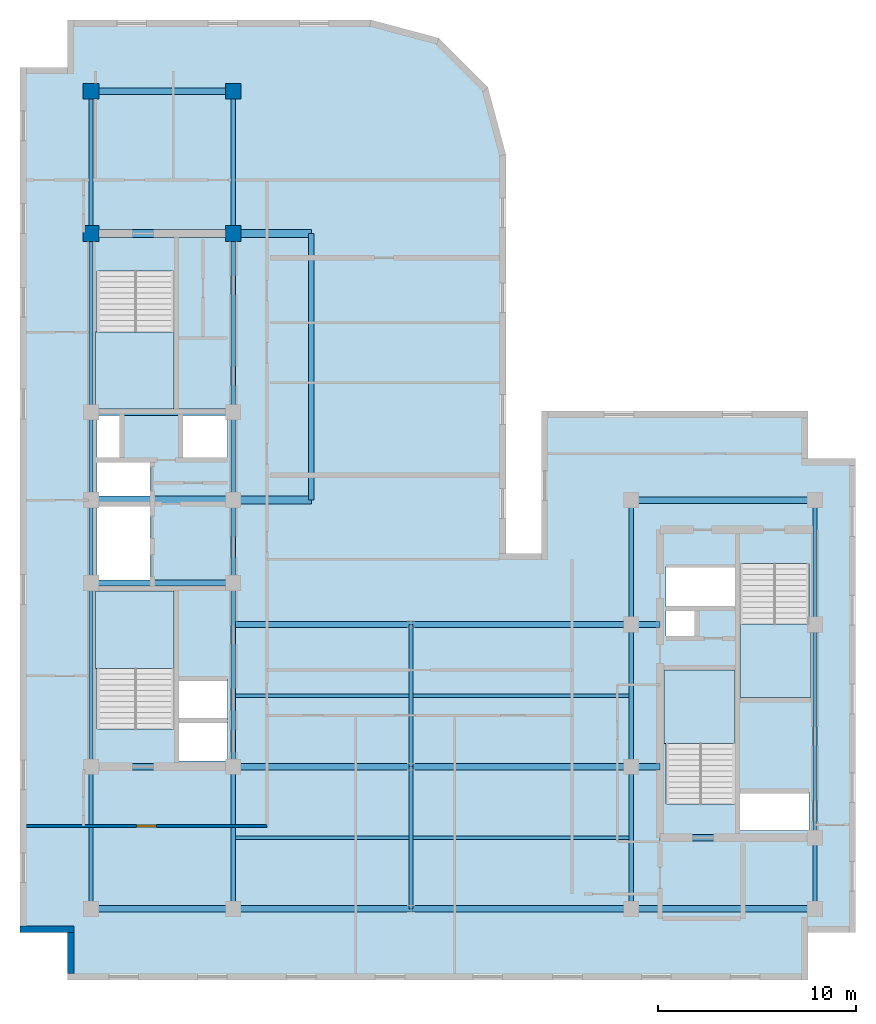
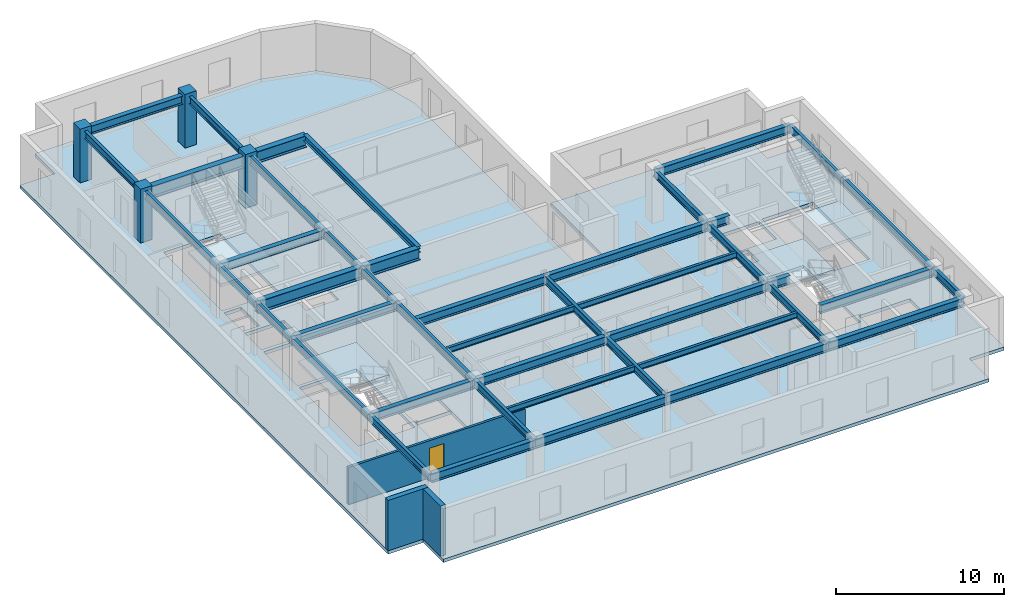
# One storey, part 2 of 10: 43 beams, 5 slabs, 4 columns, 3 walls, 1 door, 1 opening, 4 elements without a shape of their own.
"""IFC4 building model written with IfcOpenShell, lengths in metres."""

from ifc_helpers import new_model, entity, si_unit, converted_unit, direction, frame, origin_with_axes, origin_2d_with_axis, place, context, subcontext, project, spatial, polyline, rectangle, i_section, outline, extrude, material, layer, layer_set, material_profile, profile_set, type_object, element, fill, aggregate, save


model = new_model("IFC4")

# Units and contexts
model_context = context("Model", 3, precision=1e-05, world=origin_with_axes(), true_north=direction((0.0, 1.0)))
body_context = subcontext(model_context, "Body", "Model", "MODEL_VIEW")
ifc_project = project(units=[si_unit("LENGTHUNIT", "METRE"), si_unit("AREAUNIT", "SQUARE_METRE"), si_unit("VOLUMEUNIT", "CUBIC_METRE"), converted_unit("PLANEANGLEUNIT", "DEGREE", entity("IfcPlaneAngleMeasure", 0.017453292519943295), si_unit("PLANEANGLEUNIT", "RADIAN"), dimensions=[0, 0, 0, 0, 0, 0, 0]), si_unit("MASSUNIT", "GRAM", prefix="KILO"), si_unit("THERMODYNAMICTEMPERATUREUNIT", "KELVIN")], contexts=[model_context])

# Site, building, storey
site_placement = place(None, origin_with_axes())
site = spatial("IfcSite", under=ifc_project, at=site_placement, CompositionType="ELEMENT")
building_placement = place(site_placement, origin_with_axes())
building = spatial("IfcBuilding", under=site, at=building_placement, Name="Varnlund Millrace Tower", CompositionType="ELEMENT")
storey_placement = place(building_placement, frame((0.0, 0.0, 276.3), z_axis=(0.0, 0.0, 1.0), x_axis=(1.0, 0.0, 0.0)))
storey = spatial("IfcBuildingStorey", under=building, at=storey_placement, Name="L68", CompositionType="ELEMENT", Elevation=276.3)

# Columns
ifc_material_1 = material(Name="Concrete C60/75", Category="concrete")
ifc_material_profile_1 = material_profile(ifc_material_1, rectangle(XDim=0.8, YDim=0.8, at=origin_2d_with_axis()), Name="Concrete C60/75")
ifc_profile_set_1 = profile_set([ifc_material_profile_1], Name="Concrete C60/75")
column_type = type_object("IfcColumnType", Name="Type-Col-RC800-C60", PredefinedType="COLUMN", material=ifc_profile_set_1)
for number, where, z_axis, x_axis, name in (
    (1, (11.4, 37.8, 0.0), (0.0, 0.0, 1.0), (1.0, 0.0, 0.0), "Type-Col-RC800-C60"),
    (2, (11.4, 45.0, 0.0), (0.0, 0.0, 1.0), (1.0, 0.0, 0.0), "Type-Col-RC800-C60"),
    (3, (18.6, 37.8, 0.0), (0.0, 0.0, 1.0), (1.0, 0.0, 0.0), "Type-Col-RC800-C60"),
    (4, (18.6, 45.0, 0.0), (0.0, 0.0, 1.0), (1.0, 0.0, 0.0), "Type-Col-RC800-C60"),
):
    element("IfcColumn", number, at=place(storey_placement, frame(where, z_axis=z_axis, x_axis=x_axis)), inside=storey, type_object=column_type, Name=name, PredefinedType="COLUMN", context=body_context, shape_type="SweptSolid", body=[
        extrude(rectangle(XDim=0.8, YDim=0.8, at=origin_2d_with_axis()), origin_with_axes(), (0.0, 0.0, 1.0), 3.9),
    ])

# Beams
ifc_material_2 = material(Name="Steel ASTM A992 Grade 50", Category="steel")
ifc_material_profile_2 = material_profile(ifc_material_2, i_section(OverallWidth=0.28, OverallDepth=0.463, WebThickness=0.0108, FlangeThickness=0.0173, FilletRadius=0.015, at=origin_2d_with_axis()), Name="Steel ASTM A992 Grade 50")
ifc_profile_set_2 = profile_set([ifc_material_profile_2], Name="Steel ASTM A992 Grade 50")
beam_type_1 = type_object("IfcBeamType", Name="Type-Beam-W18X76", PredefinedType="BEAM", material=ifc_profile_set_2)
beam_1_placement = place(storey_placement, frame((22.55, 24.3, 3.4285), z_axis=(0.0, 1.0, 0.0), x_axis=(-1.0, 0.0, 0.0)))
element("IfcBeam", 5, at=beam_1_placement, inside=storey, type_object=beam_type_1, Name="Type-Beam-W18X76", PredefinedType="BEAM", context=body_context, shape_type="SweptSolid", body=[
    extrude(i_section(OverallWidth=0.28, OverallDepth=0.463, WebThickness=0.0108, FlangeThickness=0.0173, FilletRadius=0.015, at=origin_2d_with_axis()), origin_with_axes(), (0.0, 0.0, 1.0), 13.5),
])
ifc_material_profile_3 = material_profile(ifc_material_2, i_section(OverallWidth=0.214, OverallDepth=0.549, WebThickness=0.0147, FlangeThickness=0.0236, FilletRadius=0.015, at=origin_2d_with_axis()), Name="Steel ASTM A992 Grade 50")
ifc_profile_set_3 = profile_set([ifc_material_profile_3], Name="Steel ASTM A992 Grade 50")
beam_type_2 = type_object("IfcBeamType", Name="Type-Beam-W21X93", PredefinedType="BEAM", material=ifc_profile_set_3)
beam_2_placement = place(storey_placement, frame((11.4, 3.6, 3.3855), z_axis=(0.0, 1.0, 0.0), x_axis=(-1.0, 0.0, 0.0)))
element("IfcBeam", 6, at=beam_2_placement, inside=storey, type_object=beam_type_2, Name="Type-Beam-W21X93", PredefinedType="BEAM", context=body_context, shape_type="SweptSolid", body=[
    extrude(i_section(OverallWidth=0.214, OverallDepth=0.549, WebThickness=0.0147, FlangeThickness=0.0236, FilletRadius=0.015, at=origin_2d_with_axis()), origin_with_axes(), (0.0, 0.0, 1.0), 7.2),
])
beam_3_placement = place(storey_placement, frame((11.4, 10.8, 3.3855), z_axis=(0.0, 1.0, 0.0), x_axis=(-1.0, 0.0, 0.0)))
element("IfcBeam", 7, at=beam_3_placement, inside=storey, type_object=beam_type_2, Name="Type-Beam-W21X93", PredefinedType="BEAM", context=body_context, shape_type="SweptSolid", body=[
    extrude(i_section(OverallWidth=0.214, OverallDepth=0.549, WebThickness=0.0147, FlangeThickness=0.0236, FilletRadius=0.015, at=origin_2d_with_axis()), origin_with_axes(), (0.0, 0.0, 1.0), 9.3),
])
beam_4_placement = place(storey_placement, frame((11.4, 20.1, 3.3855), z_axis=(0.0, 1.0, 0.0), x_axis=(-1.0, 0.0, 0.0)))
element("IfcBeam", 8, at=beam_4_placement, inside=storey, type_object=beam_type_2, Name="Type-Beam-W21X93", PredefinedType="BEAM", context=body_context, shape_type="SweptSolid", body=[
    extrude(i_section(OverallWidth=0.214, OverallDepth=0.549, WebThickness=0.0147, FlangeThickness=0.0236, FilletRadius=0.015, at=origin_2d_with_axis()), origin_with_axes(), (0.0, 0.0, 1.0), 4.2),
])
beam_5_placement = place(storey_placement, frame((11.4, 24.3, 3.3855), z_axis=(0.0, 1.0, 0.0), x_axis=(-1.0, 0.0, 0.0)))
element("IfcBeam", 9, at=beam_5_placement, inside=storey, type_object=beam_type_2, Name="Type-Beam-W21X93", PredefinedType="BEAM", context=body_context, shape_type="SweptSolid", body=[
    extrude(i_section(OverallWidth=0.214, OverallDepth=0.549, WebThickness=0.0147, FlangeThickness=0.0236, FilletRadius=0.015, at=origin_2d_with_axis()), origin_with_axes(), (0.0, 0.0, 1.0), 4.45),
])
beam_6_placement = place(storey_placement, frame((11.4, 28.75, 3.3855), z_axis=(0.0, 1.0, 0.0), x_axis=(-1.0, 0.0, 0.0)))
element("IfcBeam", 10, at=beam_6_placement, inside=storey, type_object=beam_type_2, Name="Type-Beam-W21X93", PredefinedType="BEAM", context=body_context, shape_type="SweptSolid", body=[
    extrude(i_section(OverallWidth=0.214, OverallDepth=0.549, WebThickness=0.0147, FlangeThickness=0.0236, FilletRadius=0.015, at=origin_2d_with_axis()), origin_with_axes(), (0.0, 0.0, 1.0), 9.05),
])
for number, where, z_axis, x_axis, name in (
    (11, (11.4, 37.8, 3.3855), (0.0, 1.0, 0.0), (-1.0, 0.0, 0.0), "Type-Beam-W21X93"),
    (12, (18.6, 3.6, 3.3855), (0.0, 1.0, 0.0), (-1.0, 0.0, 0.0), "Type-Beam-W21X93"),
):
    element("IfcBeam", number, at=place(storey_placement, frame(where, z_axis=z_axis, x_axis=x_axis)), inside=storey, type_object=beam_type_2, Name=name, PredefinedType="BEAM", context=body_context, shape_type="SweptSolid", body=[
        extrude(i_section(OverallWidth=0.214, OverallDepth=0.549, WebThickness=0.0147, FlangeThickness=0.0236, FilletRadius=0.015, at=origin_2d_with_axis()), origin_with_axes(), (0.0, 0.0, 1.0), 7.2),
    ])
beam_7_placement = place(storey_placement, frame((18.6, 10.8, 3.3855), z_axis=(0.0, 1.0, 0.0), x_axis=(-1.0, 0.0, 0.0)))
element("IfcBeam", 13, at=beam_7_placement, inside=storey, type_object=beam_type_2, Name="Type-Beam-W21X93", PredefinedType="BEAM", context=body_context, shape_type="SweptSolid", body=[
    extrude(i_section(OverallWidth=0.214, OverallDepth=0.549, WebThickness=0.0147, FlangeThickness=0.0236, FilletRadius=0.015, at=origin_2d_with_axis()), origin_with_axes(), (0.0, 0.0, 1.0), 9.3),
])
beam_8_placement = place(storey_placement, frame((18.6, 20.1, 3.3855), z_axis=(0.0, 1.0, 0.0), x_axis=(-1.0, 0.0, 0.0)))
element("IfcBeam", 14, at=beam_8_placement, inside=storey, type_object=beam_type_2, Name="Type-Beam-W21X93", PredefinedType="BEAM", context=body_context, shape_type="SweptSolid", body=[
    extrude(i_section(OverallWidth=0.214, OverallDepth=0.549, WebThickness=0.0147, FlangeThickness=0.0236, FilletRadius=0.015, at=origin_2d_with_axis()), origin_with_axes(), (0.0, 0.0, 1.0), 4.2),
])
beam_9_placement = place(storey_placement, frame((18.6, 24.3, 3.3855), z_axis=(0.0, 1.0, 0.0), x_axis=(-1.0, 0.0, 0.0)))
element("IfcBeam", 15, at=beam_9_placement, inside=storey, type_object=beam_type_2, Name="Type-Beam-W21X93", PredefinedType="BEAM", context=body_context, shape_type="SweptSolid", body=[
    extrude(i_section(OverallWidth=0.214, OverallDepth=0.549, WebThickness=0.0147, FlangeThickness=0.0236, FilletRadius=0.015, at=origin_2d_with_axis()), origin_with_axes(), (0.0, 0.0, 1.0), 4.45),
])
beam_10_placement = place(storey_placement, frame((18.6, 28.75, 3.3855), z_axis=(0.0, 1.0, 0.0), x_axis=(-1.0, 0.0, 0.0)))
element("IfcBeam", 16, at=beam_10_placement, inside=storey, type_object=beam_type_2, Name="Type-Beam-W21X93", PredefinedType="BEAM", context=body_context, shape_type="SweptSolid", body=[
    extrude(i_section(OverallWidth=0.214, OverallDepth=0.549, WebThickness=0.0147, FlangeThickness=0.0236, FilletRadius=0.015, at=origin_2d_with_axis()), origin_with_axes(), (0.0, 0.0, 1.0), 9.05),
])
for number, where, z_axis, x_axis, name in (
    (17, (18.6, 37.8, 3.3855), (0.0, 1.0, 0.0), (-1.0, 0.0, 0.0), "Type-Beam-W21X93"),
    (18, (27.6, 3.6, 3.3855), (0.0, 1.0, 0.0), (-1.0, 0.0, 0.0), "Type-Beam-W21X93"),
    (19, (27.6, 10.8, 3.3855), (0.0, 1.0, 0.0), (-1.0, 0.0, 0.0), "Type-Beam-W21X93"),
    (20, (38.75, 3.6, 3.3855), (0.0, 1.0, 0.0), (-1.0, 0.0, 0.0), "Type-Beam-W21X93"),
    (21, (38.75, 10.8, 3.3855), (0.0, 1.0, 0.0), (-1.0, 0.0, 0.0), "Type-Beam-W21X93"),
):
    element("IfcBeam", number, at=place(storey_placement, frame(where, z_axis=z_axis, x_axis=x_axis)), inside=storey, type_object=beam_type_2, Name=name, PredefinedType="BEAM", context=body_context, shape_type="SweptSolid", body=[
        extrude(i_section(OverallWidth=0.214, OverallDepth=0.549, WebThickness=0.0147, FlangeThickness=0.0236, FilletRadius=0.015, at=origin_2d_with_axis()), origin_with_axes(), (0.0, 0.0, 1.0), 7.2),
    ])
beam_11_placement = place(storey_placement, frame((38.75, 18.0, 3.3855), z_axis=(0.0, 1.0, 0.0), x_axis=(-1.0, 0.0, 0.0)))
element("IfcBeam", 22, at=beam_11_placement, inside=storey, type_object=beam_type_2, Name="Type-Beam-W21X93", PredefinedType="BEAM", context=body_context, shape_type="SweptSolid", body=[
    extrude(i_section(OverallWidth=0.214, OverallDepth=0.549, WebThickness=0.0147, FlangeThickness=0.0236, FilletRadius=0.015, at=origin_2d_with_axis()), origin_with_axes(), (0.0, 0.0, 1.0), 6.3),
])
beam_12_placement = place(storey_placement, frame((48.05, 3.6, 3.3855), z_axis=(0.0, 1.0, 0.0), x_axis=(-1.0, 0.0, 0.0)))
element("IfcBeam", 23, at=beam_12_placement, inside=storey, type_object=beam_type_2, Name="Type-Beam-W21X93", PredefinedType="BEAM", context=body_context, shape_type="SweptSolid", body=[
    extrude(i_section(OverallWidth=0.214, OverallDepth=0.549, WebThickness=0.0147, FlangeThickness=0.0236, FilletRadius=0.015, at=origin_2d_with_axis()), origin_with_axes(), (0.0, 0.0, 1.0), 3.6),
])
beam_13_placement = place(storey_placement, frame((48.05, 7.2, 3.3855), z_axis=(0.0, 1.0, 0.0), x_axis=(-1.0, 0.0, 0.0)))
element("IfcBeam", 24, at=beam_13_placement, inside=storey, type_object=beam_type_2, Name="Type-Beam-W21X93", PredefinedType="BEAM", context=body_context, shape_type="SweptSolid", body=[
    extrude(i_section(OverallWidth=0.214, OverallDepth=0.549, WebThickness=0.0147, FlangeThickness=0.0236, FilletRadius=0.015, at=origin_2d_with_axis()), origin_with_axes(), (0.0, 0.0, 1.0), 10.8),
])
beam_14_placement = place(storey_placement, frame((48.05, 18.0, 3.3855), z_axis=(0.0, 1.0, 0.0), x_axis=(-1.0, 0.0, 0.0)))
element("IfcBeam", 25, at=beam_14_placement, inside=storey, type_object=beam_type_2, Name="Type-Beam-W21X93", PredefinedType="BEAM", context=body_context, shape_type="SweptSolid", body=[
    extrude(i_section(OverallWidth=0.214, OverallDepth=0.549, WebThickness=0.0147, FlangeThickness=0.0236, FilletRadius=0.015, at=origin_2d_with_axis()), origin_with_axes(), (0.0, 0.0, 1.0), 6.3),
])
ifc_material_profile_4 = material_profile(ifc_material_2, i_section(OverallWidth=0.324, OverallDepth=0.611, WebThickness=0.0127, FlangeThickness=0.0191, FilletRadius=0.016, at=origin_2d_with_axis()), Name="Steel ASTM A992 Grade 50")
ifc_profile_set_4 = profile_set([ifc_material_profile_4], Name="Steel ASTM A992 Grade 50")
beam_type_3 = type_object("IfcBeamType", Name="Type-Girder-W24X104", PredefinedType="USERDEFINED", material=ifc_profile_set_4)
beam_15_placement = place(storey_placement, frame((11.4, 3.6, 3.3545), z_axis=(1.0, 0.0, 0.0), x_axis=(0.0, 1.0, 0.0)))
element("IfcBeam", 26, at=beam_15_placement, inside=storey, type_object=beam_type_3, Name="Type-Girder-W24X104", ObjectType="GIRDER", PredefinedType="USERDEFINED", context=body_context, shape_type="SweptSolid", body=[
    extrude(i_section(OverallWidth=0.324, OverallDepth=0.611, WebThickness=0.0127, FlangeThickness=0.0191, FilletRadius=0.016, at=origin_2d_with_axis()), origin_with_axes(), (0.0, 0.0, 1.0), 7.2),
])
beam_16_placement = place(storey_placement, frame((18.6, 3.6, 3.3545), z_axis=(1.0, 0.0, 0.0), x_axis=(0.0, 1.0, 0.0)))
element("IfcBeam", 27, at=beam_16_placement, inside=storey, type_object=beam_type_3, Name="Type-Girder-W24X104", ObjectType="GIRDER", PredefinedType="USERDEFINED", context=body_context, shape_type="SweptSolid", body=[
    extrude(i_section(OverallWidth=0.324, OverallDepth=0.611, WebThickness=0.0127, FlangeThickness=0.0191, FilletRadius=0.016, at=origin_2d_with_axis()), origin_with_axes(), (0.0, 0.0, 1.0), 9.0),
])
beam_17_placement = place(storey_placement, frame((27.6, 3.6, 3.3545), z_axis=(1.0, 0.0, 0.0), x_axis=(0.0, 1.0, 0.0)))
element("IfcBeam", 28, at=beam_17_placement, inside=storey, type_object=beam_type_3, Name="Type-Girder-W24X104", ObjectType="GIRDER", PredefinedType="USERDEFINED", context=body_context, shape_type="SweptSolid", body=[
    extrude(i_section(OverallWidth=0.324, OverallDepth=0.611, WebThickness=0.0127, FlangeThickness=0.0191, FilletRadius=0.016, at=origin_2d_with_axis()), origin_with_axes(), (0.0, 0.0, 1.0), 11.15),
])
beam_18_placement = place(storey_placement, frame((38.75, 3.6, 3.3545), z_axis=(1.0, 0.0, 0.0), x_axis=(0.0, 1.0, 0.0)))
element("IfcBeam", 29, at=beam_18_placement, inside=storey, type_object=beam_type_3, Name="Type-Girder-W24X104", ObjectType="GIRDER", PredefinedType="USERDEFINED", context=body_context, shape_type="SweptSolid", body=[
    extrude(i_section(OverallWidth=0.324, OverallDepth=0.611, WebThickness=0.0127, FlangeThickness=0.0191, FilletRadius=0.016, at=origin_2d_with_axis()), origin_with_axes(), (0.0, 0.0, 1.0), 9.3),
])
beam_19_placement = place(storey_placement, frame((40.2, 7.2, 3.3545), z_axis=(1.0, 0.0, 0.0), x_axis=(0.0, 1.0, 0.0)))
element("IfcBeam", 30, at=beam_19_placement, inside=storey, type_object=beam_type_3, Name="Type-Girder-W24X104", ObjectType="GIRDER", PredefinedType="USERDEFINED", context=body_context, shape_type="SweptSolid", body=[
    extrude(i_section(OverallWidth=0.324, OverallDepth=0.611, WebThickness=0.0127, FlangeThickness=0.0191, FilletRadius=0.016, at=origin_2d_with_axis()), origin_with_axes(), (0.0, 0.0, 1.0), 7.85),
])
beam_20_placement = place(storey_placement, frame((11.4, 10.8, 3.3545), z_axis=(1.0, 0.0, 0.0), x_axis=(0.0, 1.0, 0.0)))
element("IfcBeam", 31, at=beam_20_placement, inside=storey, type_object=beam_type_3, Name="Type-Girder-W24X104", ObjectType="GIRDER", PredefinedType="USERDEFINED", context=body_context, shape_type="SweptSolid", body=[
    extrude(i_section(OverallWidth=0.324, OverallDepth=0.611, WebThickness=0.0127, FlangeThickness=0.0191, FilletRadius=0.016, at=origin_2d_with_axis()), origin_with_axes(), (0.0, 0.0, 1.0), 7.2),
])
beam_21_placement = place(storey_placement, frame((18.6, 10.8, 3.3545), z_axis=(1.0, 0.0, 0.0), x_axis=(0.0, 1.0, 0.0)))
element("IfcBeam", 32, at=beam_21_placement, inside=storey, type_object=beam_type_3, Name="Type-Girder-W24X104", ObjectType="GIRDER", PredefinedType="USERDEFINED", context=body_context, shape_type="SweptSolid", body=[
    extrude(i_section(OverallWidth=0.324, OverallDepth=0.611, WebThickness=0.0127, FlangeThickness=0.0191, FilletRadius=0.016, at=origin_2d_with_axis()), origin_with_axes(), (0.0, 0.0, 1.0), 9.0),
])
beam_22_placement = place(storey_placement, frame((27.6, 10.8, 3.3545), z_axis=(1.0, 0.0, 0.0), x_axis=(0.0, 1.0, 0.0)))
element("IfcBeam", 33, at=beam_22_placement, inside=storey, type_object=beam_type_3, Name="Type-Girder-W24X104", ObjectType="GIRDER", PredefinedType="USERDEFINED", context=body_context, shape_type="SweptSolid", body=[
    extrude(i_section(OverallWidth=0.324, OverallDepth=0.611, WebThickness=0.0127, FlangeThickness=0.0191, FilletRadius=0.016, at=origin_2d_with_axis()), origin_with_axes(), (0.0, 0.0, 1.0), 11.15),
])
beam_23_placement = place(storey_placement, frame((38.75, 10.8, 3.3545), z_axis=(1.0, 0.0, 0.0), x_axis=(0.0, 1.0, 0.0)))
element("IfcBeam", 34, at=beam_23_placement, inside=storey, type_object=beam_type_3, Name="Type-Girder-W24X104", ObjectType="GIRDER", PredefinedType="USERDEFINED", context=body_context, shape_type="SweptSolid", body=[
    extrude(i_section(OverallWidth=0.324, OverallDepth=0.611, WebThickness=0.0127, FlangeThickness=0.0191, FilletRadius=0.016, at=origin_2d_with_axis()), origin_with_axes(), (0.0, 0.0, 1.0), 1.45),
])
beam_24_placement = place(storey_placement, frame((18.6, 18.0, 3.3545), z_axis=(1.0, 0.0, 0.0), x_axis=(0.0, 1.0, 0.0)))
element("IfcBeam", 35, at=beam_24_placement, inside=storey, type_object=beam_type_3, Name="Type-Girder-W24X104", ObjectType="GIRDER", PredefinedType="USERDEFINED", context=body_context, shape_type="SweptSolid", body=[
    extrude(i_section(OverallWidth=0.324, OverallDepth=0.611, WebThickness=0.0127, FlangeThickness=0.0191, FilletRadius=0.016, at=origin_2d_with_axis()), origin_with_axes(), (0.0, 0.0, 1.0), 9.0),
])
beam_25_placement = place(storey_placement, frame((27.6, 18.0, 3.3545), z_axis=(1.0, 0.0, 0.0), x_axis=(0.0, 1.0, 0.0)))
element("IfcBeam", 36, at=beam_25_placement, inside=storey, type_object=beam_type_3, Name="Type-Girder-W24X104", ObjectType="GIRDER", PredefinedType="USERDEFINED", context=body_context, shape_type="SweptSolid", body=[
    extrude(i_section(OverallWidth=0.324, OverallDepth=0.611, WebThickness=0.0127, FlangeThickness=0.0191, FilletRadius=0.016, at=origin_2d_with_axis()), origin_with_axes(), (0.0, 0.0, 1.0), 11.15),
])
beam_26_placement = place(storey_placement, frame((38.75, 18.0, 3.3545), z_axis=(1.0, 0.0, 0.0), x_axis=(0.0, 1.0, 0.0)))
element("IfcBeam", 37, at=beam_26_placement, inside=storey, type_object=beam_type_3, Name="Type-Girder-W24X104", ObjectType="GIRDER", PredefinedType="USERDEFINED", context=body_context, shape_type="SweptSolid", body=[
    extrude(i_section(OverallWidth=0.324, OverallDepth=0.611, WebThickness=0.0127, FlangeThickness=0.0191, FilletRadius=0.016, at=origin_2d_with_axis()), origin_with_axes(), (0.0, 0.0, 1.0), 1.45),
])
beam_27_placement = place(storey_placement, frame((11.4, 20.1, 3.3545), z_axis=(1.0, 0.0, 0.0), x_axis=(0.0, 1.0, 0.0)))
element("IfcBeam", 38, at=beam_27_placement, inside=storey, type_object=beam_type_3, Name="Type-Girder-W24X104", ObjectType="GIRDER", PredefinedType="USERDEFINED", context=body_context, shape_type="SweptSolid", body=[
    extrude(i_section(OverallWidth=0.324, OverallDepth=0.611, WebThickness=0.0127, FlangeThickness=0.0191, FilletRadius=0.016, at=origin_2d_with_axis()), origin_with_axes(), (0.0, 0.0, 1.0), 7.2),
])
beam_28_placement = place(storey_placement, frame((38.75, 24.3, 3.3545), z_axis=(1.0, 0.0, 0.0), x_axis=(0.0, 1.0, 0.0)))
element("IfcBeam", 39, at=beam_28_placement, inside=storey, type_object=beam_type_3, Name="Type-Girder-W24X104", ObjectType="GIRDER", PredefinedType="USERDEFINED", context=body_context, shape_type="SweptSolid", body=[
    extrude(i_section(OverallWidth=0.324, OverallDepth=0.611, WebThickness=0.0127, FlangeThickness=0.0191, FilletRadius=0.016, at=origin_2d_with_axis()), origin_with_axes(), (0.0, 0.0, 1.0), 9.3),
])
for number, where, z_axis, x_axis, name in (
    (40, (11.4, 28.75, 3.3545), (1.0, 0.0, 0.0), (0.0, 1.0, 0.0), "Type-Girder-W24X104"),
    (41, (11.4, 45.0, 3.3545), (1.0, 0.0, 0.0), (0.0, 1.0, 0.0), "Type-Girder-W24X104"),
):
    element("IfcBeam", number, at=place(storey_placement, frame(where, z_axis=z_axis, x_axis=x_axis)), inside=storey, type_object=beam_type_3, Name=name, ObjectType="GIRDER", PredefinedType="USERDEFINED", context=body_context, shape_type="SweptSolid", body=[
        extrude(i_section(OverallWidth=0.324, OverallDepth=0.611, WebThickness=0.0127, FlangeThickness=0.0191, FilletRadius=0.016, at=origin_2d_with_axis()), origin_with_axes(), (0.0, 0.0, 1.0), 7.2),
    ])
ifc_material_profile_5 = material_profile(ifc_material_2, i_section(OverallWidth=0.399, OverallDepth=0.855, WebThickness=0.0182, FlangeThickness=0.0292, FilletRadius=0.022, at=origin_2d_with_axis()), Name="Steel ASTM A992 Grade 50")
ifc_profile_set_5 = profile_set([ifc_material_profile_5], Name="Steel ASTM A992 Grade 50")
beam_type_4 = type_object("IfcBeamType", Name="Type-Girder-W33X201", PredefinedType="USERDEFINED", material=ifc_profile_set_5)
for number, where, z_axis, x_axis, name in (
    (42, (11.4, 24.3, 3.2325), (1.0, 0.0, 0.0), (0.0, 1.0, 0.0), "Type-Girder-W33X201"),
    (43, (11.4, 37.8, 3.2325), (1.0, 0.0, 0.0), (0.0, 1.0, 0.0), "Type-Girder-W33X201"),
):
    element("IfcBeam", number, at=place(storey_placement, frame(where, z_axis=z_axis, x_axis=x_axis)), inside=storey, type_object=beam_type_4, Name=name, ObjectType="GIRDER", PredefinedType="USERDEFINED", context=body_context, shape_type="SweptSolid", body=[
        extrude(i_section(OverallWidth=0.399, OverallDepth=0.855, WebThickness=0.0182, FlangeThickness=0.0292, FilletRadius=0.022, at=origin_2d_with_axis()), origin_with_axes(), (0.0, 0.0, 1.0), 11.15),
    ])
ifc_material_profile_6 = material_profile(ifc_material_2, i_section(OverallWidth=0.178, OverallDepth=0.403, WebThickness=0.0075, FlangeThickness=0.0109, FilletRadius=0.011, at=origin_2d_with_axis()), Name="Steel ASTM A992 Grade 50")
ifc_profile_set_6 = profile_set([ifc_material_profile_6], Name="Steel ASTM A992 Grade 50")
beam_type_5 = type_object("IfcBeamType", Name="Type-Joist-W16X36", PredefinedType="JOIST", material=ifc_profile_set_6)
for number, where, z_axis, x_axis, name in (
    (44, (18.707, 7.2, 3.4585), (1.0, 0.0, 0.0), (0.0, 1.0, 0.0), "Type-Joist-W16X36"),
    (45, (18.707, 14.4, 3.4585), (1.0, 0.0, 0.0), (0.0, 1.0, 0.0), "Type-Joist-W16X36"),
):
    element("IfcBeam", number, at=place(storey_placement, frame(where, z_axis=z_axis, x_axis=x_axis)), inside=storey, type_object=beam_type_5, Name=name, PredefinedType="JOIST", context=body_context, shape_type="SweptSolid", body=[
        extrude(i_section(OverallWidth=0.178, OverallDepth=0.403, WebThickness=0.0075, FlangeThickness=0.0109, FilletRadius=0.011, at=origin_2d_with_axis()), origin_with_axes(), (0.0, 0.0, 1.0), 8.786),
    ])
for number, where, z_axis, x_axis, name in (
    (46, (27.707, 7.2, 3.4585), (1.0, 0.0, 0.0), (0.0, 1.0, 0.0), "Type-Joist-W16X36"),
    (47, (27.707, 14.4, 3.4585), (1.0, 0.0, 0.0), (0.0, 1.0, 0.0), "Type-Joist-W16X36"),
):
    element("IfcBeam", number, at=place(storey_placement, frame(where, z_axis=z_axis, x_axis=x_axis)), inside=storey, type_object=beam_type_5, Name=name, PredefinedType="JOIST", context=body_context, shape_type="SweptSolid", body=[
        extrude(i_section(OverallWidth=0.178, OverallDepth=0.403, WebThickness=0.0075, FlangeThickness=0.0109, FilletRadius=0.011, at=origin_2d_with_axis()), origin_with_axes(), (0.0, 0.0, 1.0), 10.936),
    ])

# Slab
ifc_layer_1 = layer(ifc_material_1, 0.24, Name="Concrete C60/75")
ifc_layer_set_1 = layer_set([ifc_layer_1], Name="Concrete C60/75")
slab_type_1 = type_object("IfcSlabType", Name="Type-Deck-Plate-Typical-240", PredefinedType="FLOOR", material=ifc_layer_set_1)
slab_1_placement = place(storey_placement, frame((0.0, 0.0, -0.24), z_axis=(0.0, 0.0, 1.0), x_axis=(1.0, 0.0, 0.0)))
element("IfcSlab", 48, at=slab_1_placement, inside=storey, type_object=slab_type_1, Name="Type-Deck-Plate-Typical-240", PredefinedType="FLOOR", context=body_context, shape_type="SweptSolid", body=[
    extrude(outline(polyline([(32.4, 21.6), (32.4, 41.8), (31.489, 45.2), (29.0, 47.689), (25.6, 48.6), (10.2, 48.6), (10.2, 46.2), (7.8, 46.2), (7.8, 2.4), (10.2, 2.4), (10.2, 0.0), (47.7, 0.0), (47.7, 2.4), (50.1, 2.4), (50.1, 26.4), (47.7, 26.4), (47.7, 28.8), (34.2, 28.8), (34.2, 21.6), (32.4, 21.6)]), holes=[polyline([(18.3, 13.1), (18.3, 11.1), (15.84, 11.1), (15.84, 13.1), (18.3, 13.1)]), polyline([(15.6, 12.715), (11.7, 12.715), (11.7, 19.7), (15.6, 19.7), (15.6, 12.715)]), polyline([(11.7, 19.94), (11.7, 23.98), (14.38, 23.98), (14.38, 19.94), (11.7, 19.94)]), polyline([(14.38, 24.24), (11.7, 24.24), (11.7, 26.2), (14.38, 26.2), (14.38, 24.24)]), polyline([(12.84, 26.46), (11.7, 26.46), (11.7, 28.65), (12.84, 28.65), (12.84, 26.46)]), polyline([(15.6, 28.9), (11.7, 28.9), (11.7, 35.885), (15.6, 35.885), (15.6, 28.9)]), polyline([(47.75, 9.52), (47.75, 7.58), (44.25, 7.58), (44.25, 9.52), (47.75, 9.52)]), polyline([(44.0, 8.915), (40.5, 8.915), (40.5, 15.7), (44.0, 15.7), (44.0, 8.915)]), polyline([(18.3, 13.16), (15.84, 13.16), (15.84, 15.24), (18.3, 15.24), (18.3, 13.16)]), polyline([(47.75, 14.3), (44.25, 14.3), (44.25, 21.085), (47.75, 21.085), (47.75, 14.3)]), polyline([(41.95, 17.42), (40.5, 17.42), (40.5, 18.72), (41.95, 18.72), (41.95, 17.42)]), polyline([(44.0, 18.88), (40.5, 18.88), (40.5, 20.94), (44.0, 20.94), (44.0, 18.88)]), polyline([(18.3, 26.46), (16.04, 26.46), (16.04, 28.65), (18.3, 28.65), (18.3, 26.46)])]), origin_with_axes(), (0.0, 0.0, 1.0), 0.24),
])

# Stair, slab
ifc_material_3 = material(Name="Concrete C50/60", Category="concrete")
stair_type_1 = type_object("IfcStairType", Name="Type-Stair-Dogleg-185-390", PredefinedType="HALF_TURN_STAIR", material=ifc_material_3)
stair_1_placement = place(storey_placement, origin_with_axes())
stair_1 = element("IfcStair", 49, at=stair_1_placement, inside=storey, type_object=stair_type_1, Name="Type-Stair-Dogleg-185-390", PredefinedType="HALF_TURN_STAIR")
ifc_layer_2 = layer(ifc_material_3, 0.2, Name="Concrete C50/60")
ifc_layer_set_2 = layer_set([ifc_layer_2], Name="Concrete C50/60")
slab_type_2 = type_object("IfcSlabType", Name="Type-StairLanding-200", PredefinedType="LANDING", material=ifc_layer_set_2)
slab_2_placement = place(storey_placement, frame((0.0, 0.0, 1.75), z_axis=(0.0, 0.0, 1.0), x_axis=(1.0, 0.0, 0.0)))
slab_2 = element("IfcSlab", 50, at=slab_2_placement, type_object=slab_type_2, Name="ST-A1 landing 1", PredefinedType="LANDING", context=body_context, shape_type="SweptSolid", body=[
    extrude(outline(polyline([(15.6, 15.78), (15.6, 19.7), (11.61, 19.7), (11.61, 15.78), (15.6, 15.78)])), origin_with_axes(), (0.0, 0.0, 1.0), 0.2),
])
aggregate(stair_1, [slab_2])

stair_2_placement = place(storey_placement, origin_with_axes())
stair_2 = element("IfcStair", 51, at=stair_2_placement, inside=storey, type_object=stair_type_1, Name="Type-Stair-Dogleg-185-390", PredefinedType="HALF_TURN_STAIR")
slab_3_placement = place(storey_placement, frame((0.0, 0.0, 1.75), z_axis=(0.0, 0.0, 1.0), x_axis=(1.0, 0.0, 0.0)))
slab_3 = element("IfcSlab", 52, at=slab_3_placement, type_object=slab_type_2, Name="ST-A2 landing 1", PredefinedType="LANDING", context=body_context, shape_type="SweptSolid", body=[
    extrude(outline(polyline([(11.61, 32.82), (11.61, 28.9), (15.6, 28.9), (15.6, 32.82), (11.61, 32.82)])), origin_with_axes(), (0.0, 0.0, 1.0), 0.2),
])
aggregate(stair_2, [slab_3])

stair_type_2 = type_object("IfcStairType", Name="Type-Stair-Dogleg-165-390", PredefinedType="HALF_TURN_STAIR", material=ifc_material_3)
stair_3_placement = place(storey_placement, origin_with_axes())
stair_3 = element("IfcStair", 53, at=stair_3_placement, inside=storey, type_object=stair_type_2, Name="Type-Stair-Dogleg-165-390", PredefinedType="HALF_TURN_STAIR")
slab_4_placement = place(storey_placement, frame((0.0, 0.0, 1.75), z_axis=(0.0, 0.0, 1.0), x_axis=(1.0, 0.0, 0.0)))
slab_4 = element("IfcSlab", 54, at=slab_4_placement, type_object=slab_type_2, Name="ST-B1 landing 1", PredefinedType="LANDING", context=body_context, shape_type="SweptSolid", body=[
    extrude(outline(polyline([(44.0, 11.98), (44.0, 15.7), (40.41, 15.7), (40.41, 11.98), (44.0, 11.98)])), origin_with_axes(), (0.0, 0.0, 1.0), 0.2),
])
aggregate(stair_3, [slab_4])

stair_4_placement = place(storey_placement, origin_with_axes())
stair_4 = element("IfcStair", 55, at=stair_4_placement, inside=storey, type_object=stair_type_2, Name="Type-Stair-Dogleg-165-390", PredefinedType="HALF_TURN_STAIR")
slab_5_placement = place(storey_placement, frame((0.0, 0.0, 1.75), z_axis=(0.0, 0.0, 1.0), x_axis=(1.0, 0.0, 0.0)))
slab_5 = element("IfcSlab", 56, at=slab_5_placement, type_object=slab_type_2, Name="ST-B2 landing 1", PredefinedType="LANDING", context=body_context, shape_type="SweptSolid", body=[
    extrude(outline(polyline([(44.25, 18.02), (44.25, 14.3), (47.84, 14.3), (47.84, 18.02), (44.25, 18.02)])), origin_with_axes(), (0.0, 0.0, 1.0), 0.2),
])
aggregate(stair_4, [slab_5])

# Walls
ifc_material_4 = material(Name="Precast concrete C50/60", Category="concrete")
ifc_layer_3 = layer(ifc_material_4, 0.34, Name="Precast concrete C50/60")
ifc_layer_set_3 = layer_set([ifc_layer_3], Name="Precast concrete C50/60")
wall_type_1 = type_object("IfcWallType", Name="Type-ExtWall-Precast-Upper-340", PredefinedType="SOLIDWALL", material=ifc_layer_set_3)
wall_1_placement = place(storey_placement, frame((10.37, 0.34, 0.0), z_axis=(0.0, 0.0, 1.0), x_axis=(0.0, 1.0, 0.0)))
element("IfcWall", 57, at=wall_1_placement, inside=storey, type_object=wall_type_1, Name="Type-ExtWall-Precast-Upper-340", PredefinedType="SOLIDWALL", context=body_context, shape_type="SweptSolid", body=[
    extrude(outline(polyline([(0.0, -0.17), (2.06, -0.17), (2.06, 0.17), (0.0, 0.17), (0.0, -0.17)])), origin_with_axes(), (0.0, 0.0, 1.0), 3.66),
])
wall_2_placement = place(storey_placement, frame((10.54, 2.57, 0.0), z_axis=(0.0, 0.0, 1.0), x_axis=(-1.0, 0.0, 0.0)))
element("IfcWall", 58, at=wall_2_placement, inside=storey, type_object=wall_type_1, Name="Type-ExtWall-Precast-Upper-340", PredefinedType="SOLIDWALL", context=body_context, shape_type="SweptSolid", body=[
    extrude(outline(polyline([(0.0, -0.17), (2.74, -0.17), (2.74, 0.17), (0.0, 0.17), (0.0, -0.17)])), origin_with_axes(), (0.0, 0.0, 1.0), 3.66),
])

# Wall, opening, door
ifc_material_5 = material(Name="Fire-rated gypsum board on cold-formed steel framing", Category="steel")
ifc_layer_4 = layer(ifc_material_5, 0.16, Name="Fire-rated gypsum board on cold-formed steel framing")
ifc_layer_set_4 = layer_set([ifc_layer_4], Name="Fire-rated gypsum board on cold-formed steel framing")
wall_type_2 = type_object("IfcWallType", Name="Type-Partition-Corridor-160", PredefinedType="PARTITIONING", material=ifc_layer_set_4)
wall_3_placement = place(storey_placement, frame((8.135, 7.8, 0.0), z_axis=(0.0, 0.0, 1.0), x_axis=(1.0, 0.0, 0.0)))
wall_3 = element("IfcWall", 59, at=wall_3_placement, inside=storey, type_object=wall_type_2, Name="Type-Partition-Corridor-160", PredefinedType="PARTITIONING", context=body_context, shape_type="SweptSolid", body=[
    extrude(outline(polyline([(0.0, -0.08), (12.165, -0.08), (12.165, 0.08), (0.0, 0.08), (0.0, -0.08)])), origin_with_axes(), (0.0, 0.0, 1.0), 2.7),
])
opening_placement = place(wall_3_placement, frame((6.065, 0.0, 0.0), z_axis=(0.0, 0.0, 1.0), x_axis=(1.0, 0.0, 0.0)))
opening = element("IfcOpeningElement", 60, at=opening_placement, cuts=wall_3, Name="Opening L68:DR-WAS-01", PredefinedType="OPENING", context=body_context, shape_type="SweptSolid", body=[
    extrude(rectangle(XDim=1.0, YDim=0.18, at=origin_2d_with_axis()), origin_with_axes(), (0.0, 0.0, 1.0), 2.15),
])
ifc_material_6 = material(Name="Solid-core white oak and bronze frame door")
door_type = type_object("IfcDoorType", Name="Type-IntDoor-Office-1000X2150", OperationType="NOTDEFINED", PredefinedType="DOOR", material=ifc_material_6)
door_placement = place(wall_3_placement, frame((6.065, 0.0, 0.0), z_axis=(0.0, 0.0, 1.0), x_axis=(1.0, 0.0, 0.0)))
door = element("IfcDoor", 61, at=door_placement, inside=storey, type_object=door_type, Name="Type-IntDoor-Office-1000X2150", OperationType="SINGLE_SWING_LEFT", OverallHeight=2.15, OverallWidth=1.0, PredefinedType="DOOR", context=body_context, shape_type="SweptSolid", body=[
    extrude(rectangle(XDim=1.0, YDim=0.09, at=origin_2d_with_axis()), origin_with_axes(), (0.0, 0.0, 1.0), 2.15),
])
fill(opening, door)

save(model, "model.ifc")
